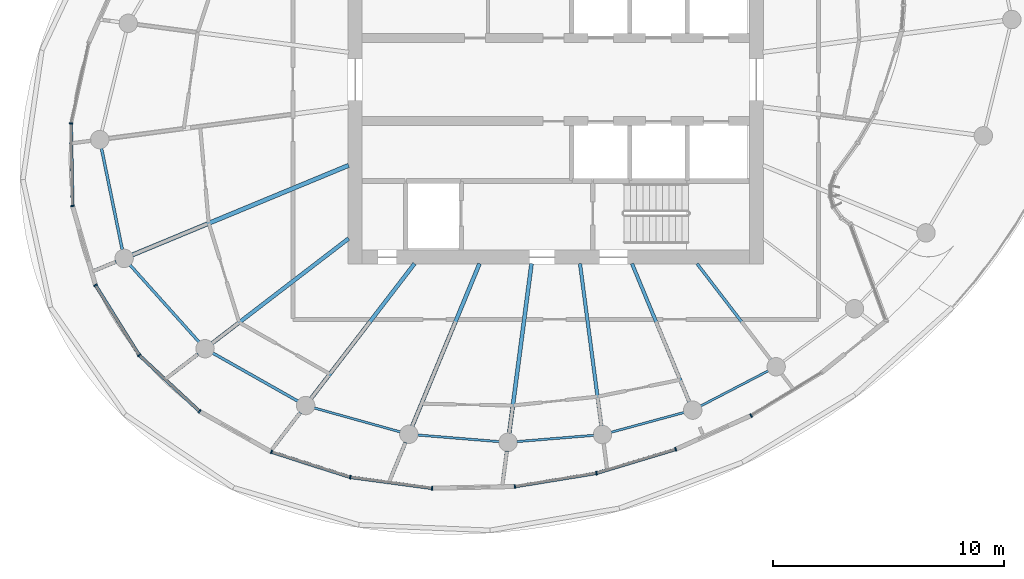
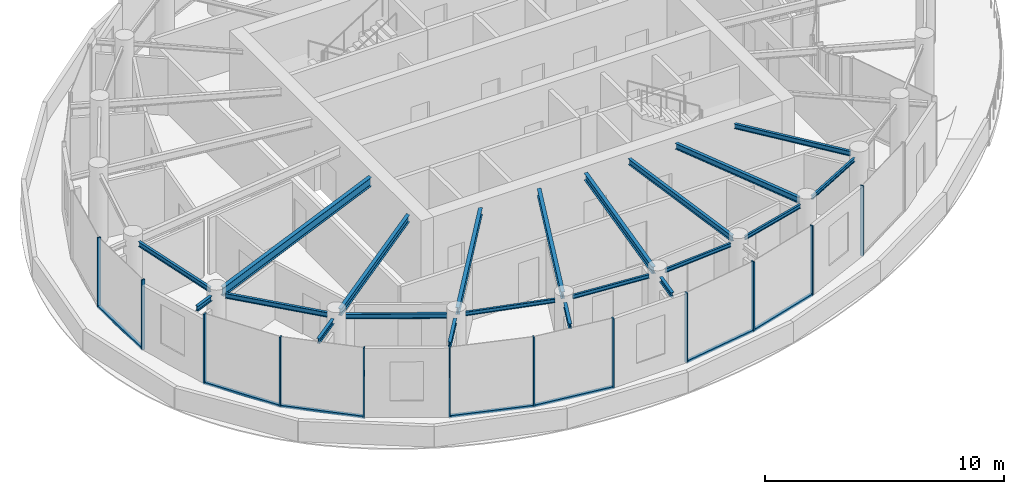
# One storey, part 2 of 19: 21 beams, 19 members, 3 elements without a shape of their own.
"""IFC4 building model written with IfcOpenShell, lengths in metres."""

import ifcopenshell
import ifcopenshell.guid

model = None  # the IFC model being written
_history = None  # IfcOwnerHistory: only IFC2X3 demands one
_inside = {}  # id of a spatial element -> (the spatial element, [elements in it])
_under = {}  # id of a project, library or spatial element -> (it, [spatial elements below it])
_declared = {}  # id of a project -> (the project, [libraries it declares])
_typed = {}  # id of a type object -> (the type object, [elements of that type])
_made_of = {}  # id of a material, layer set ... -> (it, [elements and type objects made of it])


def new_model(schema):
    """Start an empty IFC model of exactly this schema.

    Asked for "IFC4X3", IfcOpenShell would pick the latest addendum, in which some entities
    have other attributes; the version numbers below select the first issue.
    IFC2X3 requires an IfcOwnerHistory on every rooted entity: one is made here for all.
    """
    global model, _history
    if schema == "IFC4X3":
        model = ifcopenshell.file(schema_version=(4, 3, 0, 0))
    else:
        model = ifcopenshell.file(schema=schema)
    _inside.clear()
    _under.clear()
    _declared.clear()
    _typed.clear()
    _made_of.clear()
    _history = None
    if model.schema == "IFC2X3":
        org = make("IfcOrganization", Name="unknown")
        user = make(
            "IfcPersonAndOrganization",
            ThePerson=make("IfcPerson", FamilyName="unknown"),
            TheOrganization=org,
        )
        app = make(
            "IfcApplication",
            ApplicationDeveloper=org,
            Version="unknown",
            ApplicationFullName="unknown",
            ApplicationIdentifier="unknown",
        )
        _history = make(
            "IfcOwnerHistory",
            OwningUser=user,
            OwningApplication=app,
            ChangeAction="ADDED",
            CreationDate=0,
        )
    return model


def make(cls, **values):
    """One entity of the class cls with the attributes given. An attribute that is None is left unset."""
    return model.create_entity(
        cls, **{name: value for name, value in values.items() if value is not None}
    )


def rooted(cls, **values):
    """An entity with a GlobalId (a new one), such as an element, a storey or a relation."""
    return make(cls, GlobalId=ifcopenshell.guid.new(), OwnerHistory=_history, **values)


def si_unit(unit_type, name, prefix=None):
    """IfcSIUnit, for example si_unit("LENGTHUNIT", "METRE", prefix="MILLI")."""
    return make("IfcSIUnit", UnitType=unit_type, Prefix=prefix, Name=name)


def assignment(units):
    """IfcUnitAssignment: the units of a project."""
    return None if units is None else make("IfcUnitAssignment", Units=units)


def point(xyz):
    """IfcCartesianPoint."""
    return None if xyz is None else make("IfcCartesianPoint", Coordinates=xyz)


def direction(xyz):
    """IfcDirection."""
    return None if xyz is None else make("IfcDirection", DirectionRatios=xyz)


def frame(location, z_axis=None, x_axis=None):
    """IfcAxis2Placement3D, a coordinate frame: its origin and axes. An axis left out is left unset."""
    return make(
        "IfcAxis2Placement3D",
        Location=point(location),
        Axis=direction(z_axis),
        RefDirection=direction(x_axis),
    )


def frame_2d(location, x_axis=None):
    """IfcAxis2Placement2D, a coordinate frame in the plane: its origin and x axis."""
    return make(
        "IfcAxis2Placement2D", Location=point(location), RefDirection=direction(x_axis)
    )


def origin():
    """The frame at (0, 0, 0) with its axes left unset."""
    return frame((0.0, 0.0, 0.0))


def origin_2d():
    """The frame at (0, 0) in the plane with its x axis left unset."""
    return frame_2d((0.0, 0.0))


def place(relative_to, where):
    """IfcLocalPlacement: puts the frame where relative to a parent placement (None: the world)."""
    return make(
        "IfcLocalPlacement", PlacementRelTo=relative_to, RelativePlacement=where
    )


def context(
    kind, dimensions, precision=None, world=None, true_north=None, identifier=None
):
    """IfcGeometricRepresentationContext, for example the 3D "Model" context."""
    return make(
        "IfcGeometricRepresentationContext",
        ContextIdentifier=identifier,
        ContextType=kind,
        CoordinateSpaceDimension=dimensions,
        Precision=precision,
        WorldCoordinateSystem=world,
        TrueNorth=true_north,
    )


def subcontext(parent, identifier, kind, view, scale=None):
    """IfcGeometricRepresentationSubContext, for example "Body" below "Model"."""
    return make(
        "IfcGeometricRepresentationSubContext",
        ContextIdentifier=identifier,
        ContextType=kind,
        ParentContext=parent,
        TargetScale=scale,
        TargetView=view,
    )


def project(units=None, contexts=None):
    """IfcProject with its units and contexts."""
    return rooted(
        "IfcProject",
        Name="project",
        RepresentationContexts=contexts,
        UnitsInContext=assignment(units),
    )


def spatial(cls, under=None, at=None, **own):
    """A site, building, storey or space (cls), placed at a placement, below another one or the project."""
    s = rooted(cls, ObjectPlacement=at, **own)
    if under is not None:
        _under.setdefault(under.id(), (under, []))[1].append(s)
    return s


def profile(cls, at=None, kind="AREA", **sizes):
    """A parametric profile (cls). Its sizes go by their IFC names, for example OverallWidth=200.0."""
    return make(cls, ProfileType=kind, Position=at, **sizes)


def rectangle(**sizes):
    """IfcRectangleProfileDef."""
    return profile("IfcRectangleProfileDef", **sizes)


def i_section(**sizes):
    """IfcIShapeProfileDef."""
    return profile("IfcIShapeProfileDef", **sizes)


def extrude(swept, where, along, depth):
    """IfcExtrudedAreaSolid: the profile swept, set in the frame where, extruded along a direction by depth."""
    return make(
        "IfcExtrudedAreaSolid",
        SweptArea=swept,
        Position=where,
        ExtrudedDirection=direction(along),
        Depth=depth,
    )


def shape(context_of_items, identifier, shape_type, items):
    """IfcShapeRepresentation: the items that make up one representation, for example the "Body"."""
    return make(
        "IfcShapeRepresentation",
        ContextOfItems=context_of_items,
        RepresentationIdentifier=identifier,
        RepresentationType=shape_type,
        Items=items,
    )


def source(mapping_origin, context_of_items, identifier, shape_type, items):
    """IfcRepresentationMap: a shape defined once, which mapped items show again and again."""
    return make(
        "IfcRepresentationMap",
        MappingOrigin=mapping_origin,
        MappedRepresentation=shape(context_of_items, identifier, shape_type, items),
    )


def transform(
    local_origin,
    x_axis=None,
    y_axis=None,
    z_axis=None,
    scale=None,
    scale2=None,
    scale3=None,
    uniform=True,
):
    """IfcCartesianTransformationOperator3D, or its non-uniform kind. x_axis, y_axis, z_axis: its Axis1, 2, 3."""
    if uniform:
        return make(
            "IfcCartesianTransformationOperator3D",
            Axis1=direction(x_axis),
            Axis2=direction(y_axis),
            LocalOrigin=point(local_origin),
            Scale=scale,
            Axis3=direction(z_axis),
        )
    return make(
        "IfcCartesianTransformationOperator3DnonUniform",
        Axis1=direction(x_axis),
        Axis2=direction(y_axis),
        LocalOrigin=point(local_origin),
        Scale=scale,
        Axis3=direction(z_axis),
        Scale2=scale2,
        Scale3=scale3,
    )


def mapped(mapping_source, mapping_target):
    """IfcMappedItem: shows the shape of a source again, moved by a transform."""
    return make(
        "IfcMappedItem", MappingSource=mapping_source, MappingTarget=mapping_target
    )


def material(Name=None, Category=None):
    """IfcMaterial."""
    return make("IfcMaterial", Name=Name, Category=Category)


def layer(
    of_material, thickness, ventilated=None, Name=None, Category=None, Priority=None
):
    """IfcMaterialLayer: one layer of a wall or slab, of a material (None: an air gap)."""
    return make(
        "IfcMaterialLayer",
        Material=of_material,
        LayerThickness=thickness,
        IsVentilated=ventilated,
        Name=Name,
        Category=Category,
        Priority=Priority,
    )


def layer_set(layers, Name=None):
    """IfcMaterialLayerSet."""
    return make("IfcMaterialLayerSet", MaterialLayers=layers, LayerSetName=Name)


def material_profile(
    of_material, cross_section, Name=None, Category=None, Priority=None
):
    """IfcMaterialProfile: a cross section and its material."""
    return make(
        "IfcMaterialProfile",
        Name=Name,
        Material=of_material,
        Profile=cross_section,
        Priority=Priority,
        Category=Category,
    )


def profile_set(profiles, Name=None, composite=None):
    """IfcMaterialProfileSet."""
    return make(
        "IfcMaterialProfileSet",
        Name=Name,
        MaterialProfiles=profiles,
        CompositeProfile=composite,
    )


def made_of(thing, what):
    """Note that an element or type object is made of a material, layer set ...; save() writes the relation."""
    if what is not None:
        _made_of.setdefault(what.id(), (what, []))[1].append(thing)
    return thing


def type_object(cls, material=None, **own):
    """A type object (cls), such as IfcWallType, which elements share."""
    return made_of(rooted(cls, **own), material)


def element(
    cls,
    number,
    at=None,
    inside=None,
    cuts=None,
    type_object=None,
    material=None,
    context=None,
    identifier="Body",
    shape_type=None,
    held_by="IfcProductDefinitionShape",
    body=None,
    shapes=None,
    **own,
):
    """One element of the class cls, such as IfcWall. Its Tag is "e" and its number.

    at: its placement. inside: the storey or other place that contains it. cuts: it is an
    opening in that element (IfcRelVoidsElement). A single representation is given by context,
    identifier, shape_type and body (its items); several are given by shapes. held_by: the class
    of the entity that holds the representations. save() writes the other relations.
    """
    e = rooted(cls, Tag="e%d" % number, ObjectPlacement=at, **own)
    if body is not None:
        shapes = [shape(context, identifier, shape_type, body)]
    if shapes is not None:
        e.Representation = make(held_by, Representations=shapes)
    if inside is not None:
        _inside.setdefault(inside.id(), (inside, []))[1].append(e)
    if cuts is not None:
        rooted(
            "IfcRelVoidsElement", RelatingBuildingElement=cuts, RelatedOpeningElement=e
        )
    if type_object is not None:
        _typed.setdefault(type_object.id(), (type_object, []))[1].append(e)
    return made_of(e, material)


def aggregate(whole, parts):
    """IfcRelAggregates: a whole, such as a stair, and the parts it consists of."""
    return rooted("IfcRelAggregates", RelatingObject=whole, RelatedObjects=parts)


def save(model, path):
    """Write the relations noted so far, then the file.

    IfcRelAggregates (storeys below a building ...), IfcRelContainedInSpatialStructure (elements
    in a storey), IfcRelDefinesByType, IfcRelAssociatesMaterial and IfcRelDeclares: one each for
    every whole, place, type object, material and project.
    """
    for whole, parts in _under.values():
        aggregate(whole, parts)
    for where, things in _inside.values():
        rooted(
            "IfcRelContainedInSpatialStructure",
            RelatedElements=things,
            RelatingStructure=where,
        )
    for kind, things in _typed.values():
        rooted("IfcRelDefinesByType", RelatedObjects=things, RelatingType=kind)
    for what, things in _made_of.values():
        rooted("IfcRelAssociatesMaterial", RelatedObjects=things, RelatingMaterial=what)
    for by, libraries in _declared.values():
        rooted("IfcRelDeclares", RelatingContext=by, RelatedDefinitions=libraries)
    model.write(path)


model = new_model("IFC4")

# Units and contexts
model_context = context("Model", 3, precision=1e-05, world=origin(), true_north=direction((0.0, 1.0)))
body_context = subcontext(model_context, "Body", "Model", "MODEL_VIEW")
ifc_project = project(units=[si_unit("LENGTHUNIT", "METRE"), si_unit("AREAUNIT", "SQUARE_METRE"), si_unit("VOLUMEUNIT", "CUBIC_METRE"), si_unit("PLANEANGLEUNIT", "RADIAN"), si_unit("MASSUNIT", "GRAM", prefix="KILO")], contexts=[model_context])

# Site, building, storey
site_placement = place(None, origin())
site = spatial("IfcSite", under=ifc_project, at=site_placement, CompositionType="ELEMENT")
building_placement = place(site_placement, origin())
building = spatial("IfcBuilding", under=site, at=building_placement, Name="Spindrift Exchange Tower", CompositionType="ELEMENT")
storey_placement = place(building_placement, frame((0.0, 0.0, 234.5)))
storey = spatial("IfcBuildingStorey", under=building, at=storey_placement, Name="L57", CompositionType="ELEMENT", Elevation=234.5)

# Beams
ifc_material_1 = material(Name="Steel Grade 300", Category="steel")
ifc_material_profile_1 = material_profile(ifc_material_1, i_section(OverallWidth=0.18994140625, OverallDepth=0.4541015625, WebThickness=0.008544921875, FlangeThickness=0.0126953125, FilletRadius=0.013916015625, at=origin_2d()), Name="460UB67.1")
ifc_profile_set_1 = profile_set([ifc_material_profile_1], Name="Steel Grade 300")
beam_type_1 = type_object("IfcBeamType", Name="Floor Beam 460UB67.1 Steel Grade 300", PredefinedType="BEAM", material=ifc_profile_set_1)
shared_shape_1 = source(origin(), body_context, "Body", "SweptSolid", [
    extrude(i_section(OverallWidth=0.18994140625, OverallDepth=0.4541015625, WebThickness=0.008544921875, FlangeThickness=0.0126953125, FilletRadius=0.013916015625, at=origin_2d()), origin(), (0.0, 0.0, 1.0), 10.160400390625),
])
beam_1_placement = place(storey_placement, frame((43.0185546875, 44.27978515625, 3.35302734375), z_axis=(-0.923880358773, -0.382681437588, 0.0), x_axis=(0.382681437588, -0.923880358773, 0.0)))
element("IfcBeam", 1, at=beam_1_placement, inside=storey, type_object=beam_type_1, Name="L57 radial beam R14A", PredefinedType="BEAM", context=body_context, shape_type="MappedRepresentation", body=[
    mapped(shared_shape_1, transform((0.0, 0.0, 0.0), scale=1.0)),
])
ifc_material_profile_2 = material_profile(ifc_material_1, i_section(OverallWidth=0.1708984375, OverallDepth=0.35205078125, WebThickness=0.0068359375, FlangeThickness=0.009765625, FilletRadius=0.013916015625, at=origin_2d()), Name="360UB44.7")
ifc_profile_set_2 = profile_set([ifc_material_profile_2], Name="Steel Grade 300")
beam_type_2 = type_object("IfcBeamType", Name="Floor Beam 360UB44.7 Steel Grade 300", PredefinedType="BEAM", material=ifc_profile_set_2)
shared_shape_2 = source(origin(), body_context, "Body", "SweptSolid", [
    extrude(i_section(OverallWidth=0.1708984375, OverallDepth=0.35205078125, WebThickness=0.0068359375, FlangeThickness=0.009765625, FilletRadius=0.013916015625, at=origin_2d()), origin(), (0.0, 0.0, 1.0), 7.466796875),
])
beam_2_placement = place(storey_placement, frame((43.015869140625, 41.106201171875, 3.404052734375), z_axis=(-0.793360004804, -0.608752743548, 0.0), x_axis=(0.608752743548, -0.793360004804, 0.0)))
element("IfcBeam", 2, at=beam_2_placement, inside=storey, type_object=beam_type_2, Name="L57 radial beam R15A", PredefinedType="BEAM", context=body_context, shape_type="MappedRepresentation", body=[
    mapped(shared_shape_2, transform((0.0, 0.0, 0.0), scale=1.0)),
])
shared_shape_3 = source(origin(), body_context, "Body", "SweptSolid", [
    extrude(i_section(OverallWidth=0.1708984375, OverallDepth=0.35205078125, WebThickness=0.0068359375, FlangeThickness=0.009765625, FilletRadius=0.013916015625, at=origin_2d()), origin(), (0.0, 0.0, 1.0), 7.3740234375),
])
beam_3_placement = place(storey_placement, frame((45.87353515625, 40.015869140625, 3.404052734375), z_axis=(-0.608751913917, -0.793360641387, 0.0), x_axis=(0.793360641387, -0.608751913917, 0.0)))
element("IfcBeam", 3, at=beam_3_placement, inside=storey, type_object=beam_type_2, Name="L57 radial beam R16A", PredefinedType="BEAM", context=body_context, shape_type="MappedRepresentation", body=[
    mapped(shared_shape_3, transform((0.0, 0.0, 0.0), scale=1.0)),
])
shared_shape_4 = source(origin(), body_context, "Body", "SweptSolid", [
    extrude(i_section(OverallWidth=0.1708984375, OverallDepth=0.35205078125, WebThickness=0.0068359375, FlangeThickness=0.009765625, FilletRadius=0.013916015625, at=origin_2d()), origin(), (0.0, 0.0, 1.0), 7.630859375),
])
beam_4_placement = place(storey_placement, frame((48.69384765625, 40.0185546875, 3.404052734375), z_axis=(-0.382676740702, -0.92388230426, 0.0), x_axis=(0.92388230426, -0.382676740702, 0.0)))
element("IfcBeam", 4, at=beam_4_placement, inside=storey, type_object=beam_type_2, Name="L57 radial beam R17A", PredefinedType="BEAM", context=body_context, shape_type="MappedRepresentation", body=[
    mapped(shared_shape_4, transform((0.0, 0.0, 0.0), scale=1.0)),
])
shared_shape_5 = source(origin(), body_context, "Body", "SweptSolid", [
    extrude(i_section(OverallWidth=0.1708984375, OverallDepth=0.35205078125, WebThickness=0.0068359375, FlangeThickness=0.009765625, FilletRadius=0.013916015625, at=origin_2d()), origin(), (0.0, 0.0, 1.0), 7.43798828125),
])
beam_5_placement = place(storey_placement, frame((50.949462890625, 40.019775390625, 3.404052734375), z_axis=(-0.130540269579, -0.991443007953, 0.0), x_axis=(0.991443007953, -0.130540269579, 0.0)))
element("IfcBeam", 5, at=beam_5_placement, inside=storey, type_object=beam_type_2, Name="L57 radial beam R18A", PredefinedType="BEAM", context=body_context, shape_type="MappedRepresentation", body=[
    mapped(shared_shape_5, transform((0.0, 0.0, 0.0), scale=1.0)),
])
ifc_material_profile_3 = material_profile(ifc_material_1, i_section(OverallWidth=0.14599609375, OverallDepth=0.251953125, WebThickness=0.006103515625, FlangeThickness=0.008544921875, FilletRadius=0.011962890625, at=origin_2d()), Name="250UB31.4")
ifc_profile_set_3 = profile_set([ifc_material_profile_3], Name="Steel Grade 300")
beam_type_3 = type_object("IfcBeamType", Name="Cantilever Beam 250UB31.4 Steel Grade 300", PredefinedType="BEAM", material=ifc_profile_set_3)
shared_shape_6 = source(origin(), body_context, "Body", "SweptSolid", [
    extrude(i_section(OverallWidth=0.14599609375, OverallDepth=0.251953125, WebThickness=0.006103515625, FlangeThickness=0.008544921875, FilletRadius=0.011962890625, at=origin_2d()), origin(), (0.0, 0.0, 1.0), 1.277587890625),
])
beam_6_placement = place(storey_placement, frame((49.87939453125, 31.891845703125, 3.4541015625), z_axis=(-0.130523720617, -0.991445186763, 0.0), x_axis=(0.991445186763, -0.130523720617, 0.0)))
element("IfcBeam", 6, at=beam_6_placement, inside=storey, type_object=beam_type_3, Name="L57 cantilever beam R18T", PredefinedType="BEAM", context=body_context, shape_type="MappedRepresentation", body=[
    mapped(shared_shape_6, transform((0.0, 0.0, 0.0), scale=1.0)),
])
ifc_material_profile_4 = material_profile(ifc_material_1, i_section(OverallWidth=0.14892578125, OverallDepth=0.298095703125, WebThickness=0.005615234375, FlangeThickness=0.008056640625, FilletRadius=0.012939453125, at=origin_2d()), Name="310UB32.0")
ifc_profile_set_4 = profile_set([ifc_material_profile_4], Name="Steel Grade 300")
beam_type_4 = type_object("IfcBeamType", Name="Floor Beam 310UB32.0 Steel Grade 300", PredefinedType="BEAM", material=ifc_profile_set_4)
shared_shape_7 = source(origin(), body_context, "Body", "SweptSolid", [
    extrude(i_section(OverallWidth=0.14892578125, OverallDepth=0.298095703125, WebThickness=0.005615234375, FlangeThickness=0.008056640625, FilletRadius=0.012939453125, at=origin_2d()), origin(), (0.0, 0.0, 1.0), 7.099853515625),
])
beam_7_placement = place(storey_placement, frame((53.050537109375, 40.019775390625, 3.430908203125), z_axis=(0.130532789835, -0.991443992759, 0.0), x_axis=(0.991443992759, 0.130532789835, 0.0)))
element("IfcBeam", 7, at=beam_7_placement, inside=storey, type_object=beam_type_4, Name="L57 radial beam R19A", PredefinedType="BEAM", context=body_context, shape_type="MappedRepresentation", body=[
    mapped(shared_shape_7, transform((0.0, 0.0, 0.0), scale=1.0)),
])
shared_shape_8 = source(origin(), body_context, "Body", "SweptSolid", [
    extrude(i_section(OverallWidth=0.14892578125, OverallDepth=0.298095703125, WebThickness=0.005615234375, FlangeThickness=0.008056640625, FilletRadius=0.012939453125, at=origin_2d()), origin(), (0.0, 0.0, 1.0), 6.495849609375),
])
beam_8_placement = place(storey_placement, frame((55.30615234375, 40.0185546875, 3.430908203125), z_axis=(0.382677087308, -0.923882160695, 0.0), x_axis=(0.923882160695, 0.382677087308, 0.0)))
element("IfcBeam", 8, at=beam_8_placement, inside=storey, type_object=beam_type_4, Name="L57 radial beam R20A", PredefinedType="BEAM", context=body_context, shape_type="MappedRepresentation", body=[
    mapped(shared_shape_8, transform((0.0, 0.0, 0.0), scale=1.0)),
])
ifc_material_profile_5 = material_profile(ifc_material_1, i_section(OverallWidth=0.1240234375, OverallDepth=0.248046875, WebThickness=0.0048828125, FlangeThickness=0.008056640625, FilletRadius=0.011962890625, at=origin_2d()), Name="250UB25.7")
ifc_profile_set_5 = profile_set([ifc_material_profile_5], Name="Steel Grade 300")
beam_type_5 = type_object("IfcBeamType", Name="Floor Beam 250UB25.7 Steel Grade 300", PredefinedType="BEAM", material=ifc_profile_set_5)
shared_shape_9 = source(origin(), body_context, "Body", "SweptSolid", [
    extrude(i_section(OverallWidth=0.1240234375, OverallDepth=0.248046875, WebThickness=0.0048828125, FlangeThickness=0.008056640625, FilletRadius=0.011962890625, at=origin_2d()), origin(), (0.0, 0.0, 1.0), 5.25341796875),
])
beam_9_placement = place(storey_placement, frame((58.12646484375, 40.015869140625, 3.4560546875), z_axis=(0.608760287872, -0.793354215915, 0.0), x_axis=(0.793354215915, 0.608760287872, 0.0)))
element("IfcBeam", 9, at=beam_9_placement, inside=storey, type_object=beam_type_5, Name="L57 radial beam R21A", PredefinedType="BEAM", context=body_context, shape_type="MappedRepresentation", body=[
    mapped(shared_shape_9, transform((0.0, 0.0, 0.0), scale=1.0)),
])
shared_shape_10 = source(origin(), body_context, "Body", "SweptSolid", [
    extrude(i_section(OverallWidth=0.14599609375, OverallDepth=0.251953125, WebThickness=0.006103515625, FlangeThickness=0.008544921875, FilletRadius=0.011962890625, at=origin_2d()), origin(), (0.0, 0.0, 1.0), 0.98681640625),
])
beam_10_placement = place(storey_placement, frame((32.92919921875, 40.1005859375, 3.4541015625), z_axis=(-0.923850964356, -0.382752394713, 0.0), x_axis=(0.382752394713, -0.923850964356, 0.0)))
element("IfcBeam", 10, at=beam_10_placement, inside=storey, type_object=beam_type_3, Name="L57 cantilever beam R14T", PredefinedType="BEAM", context=body_context, shape_type="MappedRepresentation", body=[
    mapped(shared_shape_10, transform((0.0, 0.0, 0.0), scale=1.0)),
])
shared_shape_11 = source(origin(), body_context, "Body", "SweptSolid", [
    extrude(i_section(OverallWidth=0.14599609375, OverallDepth=0.251953125, WebThickness=0.006103515625, FlangeThickness=0.008544921875, FilletRadius=0.011962890625, at=origin_2d()), origin(), (0.0, 0.0, 1.0), 1.59912109375),
])
beam_11_placement = place(storey_placement, frame((36.489013671875, 36.09814453125, 3.4541015625), z_axis=(-0.793281888038, -0.608854536085, 0.0), x_axis=(0.608854536085, -0.793281888038, 0.0)))
element("IfcBeam", 11, at=beam_11_placement, inside=storey, type_object=beam_type_3, Name="L57 cantilever beam R15T", PredefinedType="BEAM", context=body_context, shape_type="MappedRepresentation", body=[
    mapped(shared_shape_11, transform((0.0, 0.0, 0.0), scale=1.0)),
])
shared_shape_12 = source(origin(), body_context, "Body", "SweptSolid", [
    extrude(i_section(OverallWidth=0.14599609375, OverallDepth=0.251953125, WebThickness=0.006103515625, FlangeThickness=0.008544921875, FilletRadius=0.011962890625, at=origin_2d()), origin(), (0.0, 0.0, 1.0), 1.77392578125),
])
beam_12_placement = place(storey_placement, frame((40.921630859375, 33.5625, 3.4541015625), z_axis=(-0.608705982563, -0.793395882767, 0.0), x_axis=(0.793395882767, -0.608705982563, 0.0)))
element("IfcBeam", 12, at=beam_12_placement, inside=storey, type_object=beam_type_3, Name="L57 cantilever beam R16T", PredefinedType="BEAM", context=body_context, shape_type="MappedRepresentation", body=[
    mapped(shared_shape_12, transform((0.0, 0.0, 0.0), scale=1.0)),
])
shared_shape_13 = source(origin(), body_context, "Body", "SweptSolid", [
    extrude(i_section(OverallWidth=0.14599609375, OverallDepth=0.251953125, WebThickness=0.006103515625, FlangeThickness=0.008544921875, FilletRadius=0.011962890625, at=origin_2d()), origin(), (0.0, 0.0, 1.0), 1.60205078125),
])
beam_13_placement = place(storey_placement, frame((45.48291015625, 32.266357421875, 3.4541015625), z_axis=(-0.382634418752, -0.923899833091, 0.0), x_axis=(0.923899833091, -0.382634418752, 0.0)))
element("IfcBeam", 13, at=beam_13_placement, inside=storey, type_object=beam_type_3, Name="L57 cantilever beam R17T", PredefinedType="BEAM", context=body_context, shape_type="MappedRepresentation", body=[
    mapped(shared_shape_13, transform((0.0, 0.0, 0.0), scale=1.0)),
])
ifc_material_profile_6 = material_profile(ifc_material_1, i_section(OverallWidth=0.1240234375, OverallDepth=0.248046875, WebThickness=0.0048828125, FlangeThickness=0.008056640625, FilletRadius=0.011962890625, at=origin_2d()), Name="250UB25.7")
ifc_profile_set_6 = profile_set([ifc_material_profile_6], Name="Steel Grade 300")
beam_type_6 = type_object("IfcBeamType", Name="Edge Beam 250UB25.7 Steel Grade 300", PredefinedType="SPANDREL", material=ifc_profile_set_6)
shared_shape_14 = source(origin(), body_context, "Body", "SweptSolid", [
    extrude(i_section(OverallWidth=0.1240234375, OverallDepth=0.248046875, WebThickness=0.0048828125, FlangeThickness=0.008056640625, FilletRadius=0.011962890625, at=origin_2d()), origin(), (0.0, 0.0, 1.0), 4.497802734375),
])
beam_14_placement = place(storey_placement, frame((32.299072265625, 45.024169921875, 3.4560546875), z_axis=(0.201217935785, -0.979546498293, 0.0), x_axis=(0.979546498293, 0.201217935785, 0.0)))
element("IfcBeam", 14, at=beam_14_placement, inside=storey, type_object=beam_type_6, Name="L57 edge beam E13", PredefinedType="SPANDREL", context=body_context, shape_type="MappedRepresentation", body=[
    mapped(shared_shape_14, transform((0.0, 0.0, 0.0), scale=1.0)),
])
shared_shape_15 = source(origin(), body_context, "Body", "SweptSolid", [
    extrude(i_section(OverallWidth=0.1240234375, OverallDepth=0.248046875, WebThickness=0.0048828125, FlangeThickness=0.008056640625, FilletRadius=0.011962890625, at=origin_2d()), origin(), (0.0, 0.0, 1.0), 4.499755859375),
])
beam_15_placement = place(storey_placement, frame((33.533935546875, 39.963134765625, 3.4560546875), z_axis=(0.667419502646, -0.744681950558, 0.0), x_axis=(0.744681950558, 0.667419502646, 0.0)))
element("IfcBeam", 15, at=beam_15_placement, inside=storey, type_object=beam_type_6, Name="L57 edge beam E14", PredefinedType="SPANDREL", context=body_context, shape_type="MappedRepresentation", body=[
    mapped(shared_shape_15, transform((0.0, 0.0, 0.0), scale=1.0)),
])
shared_shape_16 = source(origin(), body_context, "Body", "SweptSolid", [
    extrude(i_section(OverallWidth=0.1240234375, OverallDepth=0.248046875, WebThickness=0.0048828125, FlangeThickness=0.008056640625, FilletRadius=0.011962890625, at=origin_2d()), origin(), (0.0, 0.0, 1.0), 4.2509765625),
])
beam_16_placement = place(storey_placement, frame((37.121337890625, 36.142333984375, 3.4560546875), z_axis=(0.870615246867, -0.491964523033, 0.0), x_axis=(0.491964523033, 0.870615246867, 0.0)))
element("IfcBeam", 16, at=beam_16_placement, inside=storey, type_object=beam_type_6, Name="L57 edge beam E15", PredefinedType="SPANDREL", context=body_context, shape_type="MappedRepresentation", body=[
    mapped(shared_shape_16, transform((0.0, 0.0, 0.0), scale=1.0)),
])
ifc_material_profile_7 = material_profile(ifc_material_1, i_section(OverallWidth=0.09912109375, OverallDepth=0.197998046875, WebThickness=0.00439453125, FlangeThickness=0.007080078125, FilletRadius=0.010986328125, at=origin_2d()), Name="200UB18.2")
ifc_profile_set_7 = profile_set([ifc_material_profile_7], Name="Steel Grade 300")
beam_type_7 = type_object("IfcBeamType", Name="Edge Beam 200UB18.2 Steel Grade 300", PredefinedType="SPANDREL", material=ifc_profile_set_7)
shared_shape_17 = source(origin(), body_context, "Body", "SweptSolid", [
    extrude(i_section(OverallWidth=0.09912109375, OverallDepth=0.197998046875, WebThickness=0.00439453125, FlangeThickness=0.007080078125, FilletRadius=0.010986328125, at=origin_2d()), origin(), (0.0, 0.0, 1.0), 3.885498046875),
])
beam_17_placement = place(storey_placement, frame((41.519287109375, 33.761962890625, 3.48095703125), z_axis=(0.963333134661, -0.268308165482, 0.0), x_axis=(0.268308165482, 0.963333134661, 0.0)))
element("IfcBeam", 17, at=beam_17_placement, inside=storey, type_object=beam_type_7, Name="L57 edge beam E16", PredefinedType="SPANDREL", context=body_context, shape_type="MappedRepresentation", body=[
    mapped(shared_shape_17, transform((0.0, 0.0, 0.0), scale=1.0)),
])
shared_shape_18 = source(origin(), body_context, "Body", "SweptSolid", [
    extrude(i_section(OverallWidth=0.09912109375, OverallDepth=0.197998046875, WebThickness=0.00439453125, FlangeThickness=0.007080078125, FilletRadius=0.010986328125, at=origin_2d()), origin(), (0.0, 0.0, 1.0), 3.5546875),
])
beam_18_placement = place(storey_placement, frame((46.007080078125, 32.586669921875, 3.48095703125), z_axis=(0.996727103969, -0.080839842983, 0.0), x_axis=(0.080839842983, 0.996727103969, 0.0)))
element("IfcBeam", 18, at=beam_18_placement, inside=storey, type_object=beam_type_7, Name="L57 edge beam E17", PredefinedType="SPANDREL", context=body_context, shape_type="MappedRepresentation", body=[
    mapped(shared_shape_18, transform((0.0, 0.0, 0.0), scale=1.0)),
])
shared_shape_19 = source(origin(), body_context, "Body", "SweptSolid", [
    extrude(i_section(OverallWidth=0.09912109375, OverallDepth=0.197998046875, WebThickness=0.00439453125, FlangeThickness=0.007080078125, FilletRadius=0.010986328125, at=origin_2d()), origin(), (0.0, 0.0, 1.0), 3.351806640625),
])
beam_19_placement = place(storey_placement, frame((50.3076171875, 32.2998046875, 3.48095703125), z_axis=(0.996672670999, 0.081508201334, 0.0), x_axis=(-0.081508201334, 0.996672670999, 0.0)))
element("IfcBeam", 19, at=beam_19_placement, inside=storey, type_object=beam_type_7, Name="L57 edge beam E18", PredefinedType="SPANDREL", context=body_context, shape_type="MappedRepresentation", body=[
    mapped(shared_shape_19, transform((0.0, 0.0, 0.0), scale=1.0)),
])
shared_shape_20 = source(origin(), body_context, "Body", "SweptSolid", [
    extrude(i_section(OverallWidth=0.09912109375, OverallDepth=0.197998046875, WebThickness=0.00439453125, FlangeThickness=0.007080078125, FilletRadius=0.010986328125, at=origin_2d()), origin(), (0.0, 0.0, 1.0), 3.2919921875),
])
beam_20_placement = place(storey_placement, frame((54.3935546875, 32.70361328125, 3.48095703125), z_axis=(0.965045644564, 0.262081864896, 0.0), x_axis=(-0.262081864896, 0.965045644564, 0.0)))
element("IfcBeam", 20, at=beam_20_placement, inside=storey, type_object=beam_type_7, Name="L57 edge beam E19", PredefinedType="SPANDREL", context=body_context, shape_type="MappedRepresentation", body=[
    mapped(shared_shape_20, transform((0.0, 0.0, 0.0), scale=1.0)),
])
shared_shape_21 = source(origin(), body_context, "Body", "SweptSolid", [
    extrude(i_section(OverallWidth=0.09912109375, OverallDepth=0.197998046875, WebThickness=0.00439453125, FlangeThickness=0.007080078125, FilletRadius=0.010986328125, at=origin_2d()), origin(), (0.0, 0.0, 1.0), 3.31787109375),
])
beam_21_placement = place(storey_placement, frame((58.2744140625, 33.84130859375, 3.48095703125), z_axis=(0.887327612278, 0.46113957593, 0.0), x_axis=(-0.46113957593, 0.887327612278, 0.0)))
element("IfcBeam", 21, at=beam_21_placement, inside=storey, type_object=beam_type_7, Name="L57 edge beam E20", PredefinedType="SPANDREL", context=body_context, shape_type="MappedRepresentation", body=[
    mapped(shared_shape_21, transform((0.0, 0.0, 0.0), scale=1.0)),
])

# Curtain wall, members
ifc_material_2 = material(Name="Fritted laminated glass with bronze frame", Category="glass")
ifc_layer = layer(ifc_material_2, 0.159912109375)
ifc_layer_set = layer_set([ifc_layer], Name="ZONE 5 BRONZE FRITTED WALL")
curtain_wall_type = type_object("IfcCurtainWallType", Name="ZONE 5 BRONZE FRITTED WALL", PredefinedType="NOTDEFINED", material=ifc_layer_set)
curtain_wall_1_placement = place(storey_placement, origin())
curtain_wall_1 = element("IfcCurtainWall", 22, at=curtain_wall_1_placement, inside=storey, type_object=curtain_wall_type, Name="L57 Zone 5 Bronze Fritted Wall run 2", PredefinedType="NOTDEFINED")
ifc_material_3 = material(Name="Bronze anodised aluminium", Category="aluminium")
ifc_material_profile_8 = material_profile(ifc_material_3, rectangle(XDim=0.06005859375, YDim=0.159912109375, at=origin_2d()), Name="ZONE 5 BRONZE FRITTED WALL MULLION 60X160")
ifc_profile_set_8 = profile_set([ifc_material_profile_8], Name="Bronze anodised aluminium")
member_type_1 = type_object("IfcMemberType", Name="ZONE 5 BRONZE FRITTED WALL MULLION 60X160", PredefinedType="MULLION", material=ifc_profile_set_8)
shared_shape_22 = source(origin(), body_context, "Body", "SweptSolid", [
    extrude(rectangle(XDim=0.06005859375, YDim=0.159912109375, at=origin_2d()), origin(), (0.0, 0.0, 1.0), 3.580078125),
])
member_1_placement = place(storey_placement, frame((30.977294921875, 46.09912109375, 0.0), z_axis=(0.0, 0.0, 1.0), x_axis=(-0.098991848631, -0.99508824428, 0.0)))
member_1 = element("IfcMember", 23, at=member_1_placement, type_object=member_type_1, Name="L57 mullion CW-5.10", PredefinedType="MULLION", context=body_context, shape_type="MappedRepresentation", body=[
    mapped(shared_shape_22, transform((0.0, 0.0, 0.0), scale=1.0)),
])
member_2_placement = place(storey_placement, frame((31.044189453125, 42.5205078125, 0.0), z_axis=(0.0, 0.0, 1.0), x_axis=(0.150002665599, -0.988685592245, 0.0)))
member_2 = element("IfcMember", 24, at=member_2_placement, type_object=member_type_1, Name="L57 mullion CW-5.11", PredefinedType="MULLION", context=body_context, shape_type="MappedRepresentation", body=[
    mapped(shared_shape_22, transform((0.0, 0.0, 0.0), scale=1.0)),
])
member_3_placement = place(storey_placement, frame((32.041259765625, 39.084716796875, 0.0), z_axis=(0.0, 0.0, 1.0), x_axis=(0.40785406279, -0.913047131021, 0.0)))
member_3 = element("IfcMember", 25, at=member_3_placement, type_object=member_type_1, Name="L57 mullion CW-5.12", PredefinedType="MULLION", context=body_context, shape_type="MappedRepresentation", body=[
    mapped(shared_shape_22, transform((0.0, 0.0, 0.0), scale=1.0)),
])

curtain_wall_2_placement = place(storey_placement, origin())
curtain_wall_2 = element("IfcCurtainWall", 26, at=curtain_wall_2_placement, inside=storey, type_object=curtain_wall_type, Name="L57 Zone 5 Bronze Fritted Wall run 3", PredefinedType="NOTDEFINED")
member_4_placement = place(storey_placement, frame((33.934814453125, 36.04931640625, 0.0), z_axis=(0.0, 0.0, 1.0), x_axis=(0.636241867936, -0.771489653518, 0.0)))
member_4 = element("IfcMember", 27, at=member_4_placement, type_object=member_type_1, Name="L57 mullion CW-5.13", PredefinedType="MULLION", context=body_context, shape_type="MappedRepresentation", body=[
    mapped(shared_shape_22, transform((0.0, 0.0, 0.0), scale=1.0)),
])
member_5_placement = place(storey_placement, frame((36.555419921875, 33.611328125, 0.0), z_axis=(0.0, 0.0, 1.0), x_axis=(0.807162882274, -0.590328790996, 0.0)))
member_5 = element("IfcMember", 28, at=member_5_placement, type_object=member_type_1, Name="L57 mullion CW-5.14", PredefinedType="MULLION", context=body_context, shape_type="MappedRepresentation", body=[
    mapped(shared_shape_22, transform((0.0, 0.0, 0.0), scale=1.0)),
])
member_6_placement = place(storey_placement, frame((39.6748046875, 31.851806640625, 0.0), z_axis=(0.0, 0.0, 1.0), x_axis=(0.916413748077, -0.400232235503, 0.0)))
member_6 = element("IfcMember", 29, at=member_6_placement, type_object=member_type_1, Name="L57 mullion CW-5.15", PredefinedType="MULLION", context=body_context, shape_type="MappedRepresentation", body=[
    mapped(shared_shape_22, transform((0.0, 0.0, 0.0), scale=1.0)),
])
member_7_placement = place(storey_placement, frame((43.08740234375, 30.7587890625, 0.0), z_axis=(0.0, 0.0, 1.0), x_axis=(0.975470879629, -0.220128514727, 0.0)))
member_7 = element("IfcMember", 30, at=member_7_placement, type_object=member_type_1, Name="L57 mullion CW-5.16", PredefinedType="MULLION", context=body_context, shape_type="MappedRepresentation", body=[
    mapped(shared_shape_22, transform((0.0, 0.0, 0.0), scale=1.0)),
])
member_8_placement = place(storey_placement, frame((46.639892578125, 30.280029296875, 0.0), z_axis=(0.0, 0.0, 1.0), x_axis=(0.998405303572, -0.056452190392, 0.0)))
member_8 = element("IfcMember", 31, at=member_8_placement, type_object=member_type_1, Name="L57 mullion CW-5.17", PredefinedType="MULLION", context=body_context, shape_type="MappedRepresentation", body=[
    mapped(shared_shape_22, transform((0.0, 0.0, 0.0), scale=1.0)),
])
member_9_placement = place(storey_placement, frame((50.224609375, 30.355224609375, 0.0), z_axis=(0.0, 0.0, 1.0), x_axis=(0.995839713297, 0.091122255352, 0.0)))
member_9 = element("IfcMember", 32, at=member_9_placement, type_object=member_type_1, Name="L57 mullion CW-5.18", PredefinedType="MULLION", context=body_context, shape_type="MappedRepresentation", body=[
    mapped(shared_shape_22, transform((0.0, 0.0, 0.0), scale=1.0)),
])

curtain_wall_3_placement = place(storey_placement, origin())
curtain_wall_3 = element("IfcCurtainWall", 33, at=curtain_wall_3_placement, inside=storey, type_object=curtain_wall_type, Name="L57 Zone 5 Bronze Fritted Wall run 4", PredefinedType="NOTDEFINED")
member_10_placement = place(storey_placement, frame((53.763916015625, 30.931884765625, 0.0), z_axis=(0.0, 0.0, 1.0), x_axis=(0.974300102857, 0.225253878043, 0.0)))
member_10 = element("IfcMember", 34, at=member_10_placement, type_object=member_type_1, Name="L57 mullion CW-5.19", PredefinedType="MULLION", context=body_context, shape_type="MappedRepresentation", body=[
    mapped(shared_shape_22, transform((0.0, 0.0, 0.0), scale=1.0)),
])
member_11_placement = place(storey_placement, frame((57.197509765625, 31.96728515625, 0.0), z_axis=(0.0, 0.0, 1.0), x_axis=(0.937121644137, 0.34900289983, 0.0)))
member_11 = element("IfcMember", 35, at=member_11_placement, type_object=member_type_1, Name="L57 mullion CW-5.20", PredefinedType="MULLION", context=body_context, shape_type="MappedRepresentation", body=[
    mapped(shared_shape_22, transform((0.0, 0.0, 0.0), scale=1.0)),
])
member_12_placement = place(storey_placement, frame((60.471923828125, 33.43017578125, 0.0), z_axis=(0.0, 0.0, 1.0), x_axis=(0.885293098749, 0.465033471168, 0.0)))
member_12 = element("IfcMember", 36, at=member_12_placement, type_object=member_type_1, Name="L57 mullion CW-5.21", PredefinedType="MULLION", context=body_context, shape_type="MappedRepresentation", body=[
    mapped(shared_shape_22, transform((0.0, 0.0, 0.0), scale=1.0)),
])

# Member
ifc_material_profile_9 = material_profile(ifc_material_3, rectangle(XDim=0.139892578125, YDim=0.1201171875, at=origin_2d()), Name="ZONE 5 BRONZE FRITTED WALL TRANSOM 140X120")
ifc_profile_set_9 = profile_set([ifc_material_profile_9], Name="Bronze anodised aluminium")
member_type_2 = type_object("IfcMemberType", Name="ZONE 5 BRONZE FRITTED WALL TRANSOM 140X120", PredefinedType="USERDEFINED", material=ifc_profile_set_9)
shared_shape_23 = source(origin(), body_context, "Body", "SweptSolid", [
    extrude(rectangle(XDim=0.139892578125, YDim=0.1201171875, at=origin_2d()), origin(), (0.0, 0.0, 1.0), 3.52587890625),
])
member_13_placement = place(storey_placement, frame((50.25439453125, 30.360107421875, 0.06005859375), z_axis=(0.98698989869, 0.160782274783, 0.0), x_axis=(-0.160782274783, 0.98698989869, 0.0)))
member_13 = element("IfcMember", 37, at=member_13_placement, type_object=member_type_2, Name="L57 transom CW-5.18", ObjectType="TRANSOM", PredefinedType="USERDEFINED", context=body_context, shape_type="MappedRepresentation", body=[
    mapped(shared_shape_23, transform((0.0, 0.0, 0.0), scale=1.0)),
])

shared_shape_24 = source(origin(), body_context, "Body", "SweptSolid", [
    extrude(rectangle(XDim=0.139892578125, YDim=0.1201171875, at=origin_2d()), origin(), (0.0, 0.0, 1.0), 3.524658203125),
])
member_14_placement = place(storey_placement, frame((43.1171875, 30.7548828125, 0.06005859375), z_axis=(0.99103387188, -0.133610870762, 0.0), x_axis=(0.133610870762, 0.99103387188, 0.0)))
member_14 = element("IfcMember", 38, at=member_14_placement, type_object=member_type_2, Name="L57 transom CW-5.16", ObjectType="TRANSOM", PredefinedType="USERDEFINED", context=body_context, shape_type="MappedRepresentation", body=[
    mapped(shared_shape_24, transform((0.0, 0.0, 0.0), scale=1.0)),
])

shared_shape_25 = source(origin(), body_context, "Body", "SweptSolid", [
    extrude(rectangle(XDim=0.139892578125, YDim=0.1201171875, at=origin_2d()), origin(), (0.0, 0.0, 1.0), 3.519287109375),
])
member_15_placement = place(storey_placement, frame((30.977783203125, 46.069091796875, 0.06005859375), z_axis=(0.018661750959, -0.999825854362, 0.0), x_axis=(0.999825854362, 0.018661750959, 0.0)))
member_15 = element("IfcMember", 39, at=member_15_placement, type_object=member_type_2, Name="L57 transom CW-5.10", ObjectType="TRANSOM", PredefinedType="USERDEFINED", context=body_context, shape_type="MappedRepresentation", body=[
    mapped(shared_shape_25, transform((0.0, 0.0, 0.0), scale=1.0)),
])

shared_shape_26 = source(origin(), body_context, "Body", "SweptSolid", [
    extrude(rectangle(XDim=0.139892578125, YDim=0.1201171875, at=origin_2d()), origin(), (0.0, 0.0, 1.0), 3.517333984375),
])
member_16_placement = place(storey_placement, frame((32.05712890625, 39.059326171875, 0.06005859375), z_axis=(0.529250043009, -0.848465905016, 0.0), x_axis=(0.848465905016, 0.529250043009, 0.0)))
member_16 = element("IfcMember", 40, at=member_16_placement, type_object=member_type_2, Name="L57 transom CW-5.12", ObjectType="TRANSOM", PredefinedType="USERDEFINED", context=body_context, shape_type="MappedRepresentation", body=[
    mapped(shared_shape_26, transform((0.0, 0.0, 0.0), scale=1.0)),
])

aggregate(curtain_wall_1, [member_1, member_15, member_2, member_3, member_16])

shared_shape_27 = source(origin(), body_context, "Body", "SweptSolid", [
    extrude(rectangle(XDim=0.139892578125, YDim=0.1201171875, at=origin_2d()), origin(), (0.0, 0.0, 1.0), 3.51953125),
])
member_17_placement = place(storey_placement, frame((33.95654296875, 36.029052734375, 0.06005859375), z_axis=(0.732173061633, -0.681118644451, 0.0), x_axis=(0.681118644451, 0.732173061633, 0.0)))
member_17 = element("IfcMember", 41, at=member_17_placement, type_object=member_type_2, Name="L57 transom CW-5.13", ObjectType="TRANSOM", PredefinedType="USERDEFINED", context=body_context, shape_type="MappedRepresentation", body=[
    mapped(shared_shape_27, transform((0.0, 0.0, 0.0), scale=1.0)),
])

shared_shape_28 = source(origin(), body_context, "Body", "SweptSolid", [
    extrude(rectangle(XDim=0.139892578125, YDim=0.1201171875, at=origin_2d()), origin(), (0.0, 0.0, 1.0), 3.523193359375),
])
member_18_placement = place(storey_placement, frame((39.703369140625, 31.842529296875, 0.06005859375), z_axis=(0.952365396257, -0.304959262873, 0.0), x_axis=(0.304959262873, 0.952365396257, 0.0)))
member_18 = element("IfcMember", 42, at=member_18_placement, type_object=member_type_2, Name="L57 transom CW-5.15", ObjectType="TRANSOM", PredefinedType="USERDEFINED", context=body_context, shape_type="MappedRepresentation", body=[
    mapped(shared_shape_28, transform((0.0, 0.0, 0.0), scale=1.0)),
])

aggregate(curtain_wall_2, [member_4, member_17, member_5, member_6, member_18, member_7, member_14, member_8, member_9, member_13])

shared_shape_29 = source(origin(), body_context, "Body", "SweptSolid", [
    extrude(rectangle(XDim=0.139892578125, YDim=0.1201171875, at=origin_2d()), origin(), (0.0, 0.0, 1.0), 3.526123046875),
])
member_19_placement = place(storey_placement, frame((53.792724609375, 30.940673828125, 0.06005859375), z_axis=(0.957413689823, 0.288719633104, 0.0), x_axis=(-0.288719633104, 0.957413689823, 0.0)))
member_19 = element("IfcMember", 43, at=member_19_placement, type_object=member_type_2, Name="L57 transom CW-5.19", ObjectType="TRANSOM", PredefinedType="USERDEFINED", context=body_context, shape_type="MappedRepresentation", body=[
    mapped(shared_shape_29, transform((0.0, 0.0, 0.0), scale=1.0)),
])

aggregate(curtain_wall_3, [member_10, member_19, member_11, member_12])

save(model, "model.ifc")
